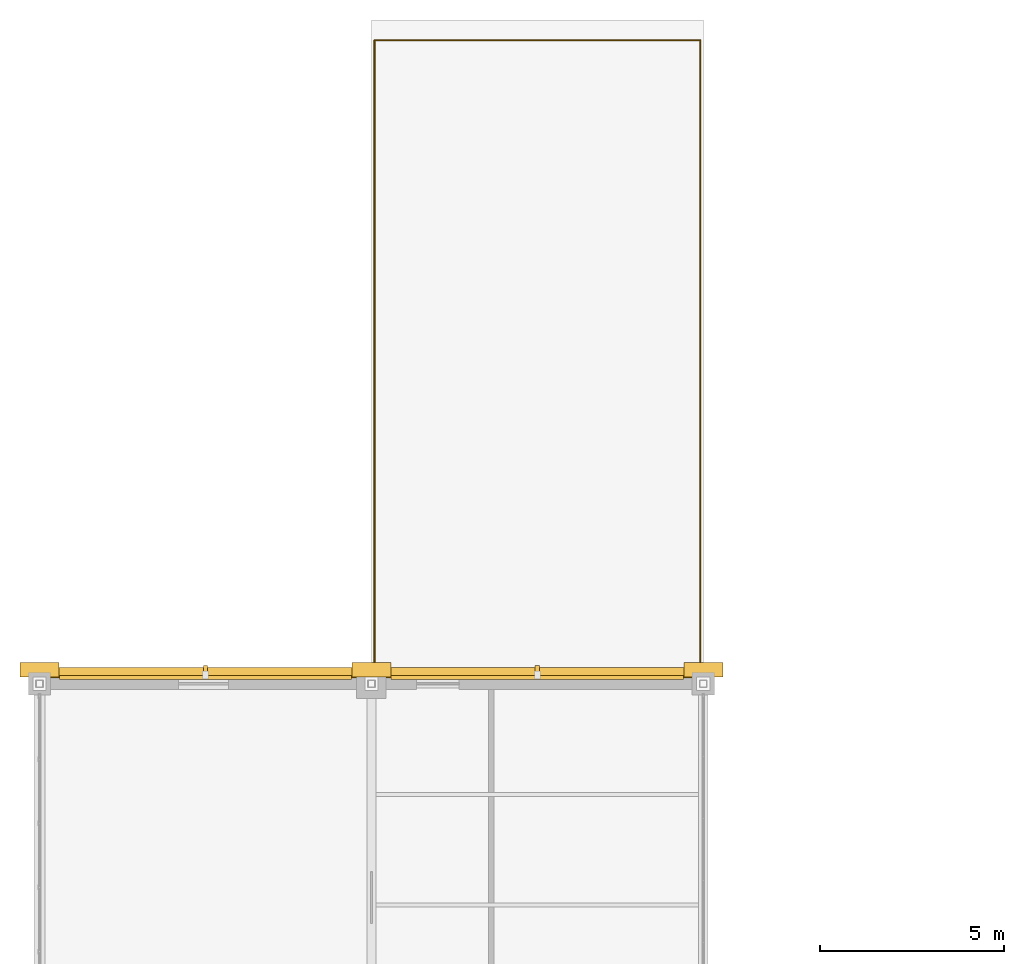
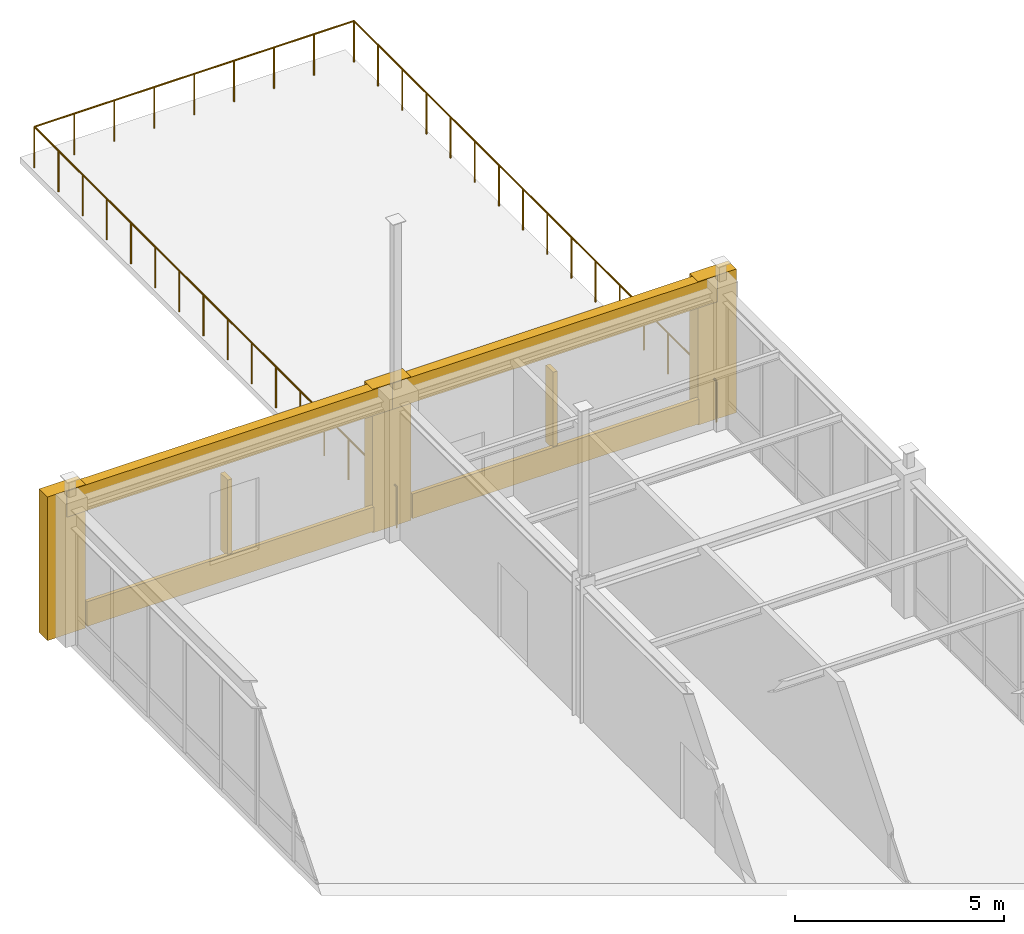
# One storey, part 36 of 36: 7 coverings, 2 shading devices, 1 railing.
"""IFC4 building model written with IfcOpenShell, lengths in metres."""

from ifc_helpers import new_model, si_unit, direction, frame, origin, origin_2d, place, context, subcontext, project, spatial, rectangle, circle, extrude, material, layer, layer_set, type_object, element, save


model = new_model("IFC4")

# Units and contexts
model_context = context("Model", 3, precision=1e-05, world=origin(), true_north=direction((0.0, 1.0)))
body_context = subcontext(model_context, "Body", "Model", "MODEL_VIEW")
ifc_project = project(units=[si_unit("LENGTHUNIT", "METRE"), si_unit("AREAUNIT", "SQUARE_METRE"), si_unit("VOLUMEUNIT", "CUBIC_METRE"), si_unit("PLANEANGLEUNIT", "RADIAN"), si_unit("MASSUNIT", "GRAM", prefix="KILO")], contexts=[model_context])

# Site, building, storey
site_placement = place(None, origin())
site = spatial("IfcSite", under=ifc_project, at=site_placement, CompositionType="ELEMENT")
building_placement = place(site_placement, origin())
building = spatial("IfcBuilding", under=site, at=building_placement, Name="Lykobir Media Centre", CompositionType="ELEMENT")
storey_placement = place(building_placement, frame((0.0, 0.0, 27.60009765625)))
storey = spatial("IfcBuildingStorey", under=building, at=storey_placement, Name="L06", CompositionType="ELEMENT", Elevation=27.60009765625)

# Coverings
ifc_material_1 = material(Name="Glazed Turquoise Terracotta", Category="masonry")
ifc_layer_1 = layer(ifc_material_1, 0.0400390625, Name="Glazed Turquoise Terracotta")
ifc_layer_set_1 = layer_set([ifc_layer_1], Name="Glazed Turquoise Terracotta")
covering_type_1 = type_object("IfcCoveringType", Name="CLD-TERR", PredefinedType="CLADDING", material=ifc_layer_set_1)
for number, where, z_axis, x_axis, name in (
    (1, (31.5, 45.1708984375, 0.080078125), (0.0, 0.0, 1.0), (-1.0, 0.0, 0.0), "Facade spandrel apron 879"),
    (2, (22.5, 45.1708984375, 0.080078125), (0.0, 0.0, 1.0), (-1.0, 0.0, 0.0), "Facade spandrel apron 882"),
):
    element("IfcCovering", number, at=place(storey_placement, frame(where, z_axis=z_axis, x_axis=x_axis)), inside=storey, type_object=covering_type_1, Name=name, PredefinedType="CLADDING", context=body_context, shape_type="SweptSolid", body=[
        extrude(rectangle(XDim=7.929931640625, YDim=0.10009765625, at=origin_2d()), origin(), (0.0, 0.0, 1.0), 0.719970703125),
    ])
ifc_material_2 = material(Name="Honed Travertine Stone", Category="masonry")
ifc_layer_2 = layer(ifc_material_2, 0.050048828125, Name="Honed Travertine Stone")
ifc_layer_set_2 = layer_set([ifc_layer_2], Name="Honed Travertine Stone")
covering_type_2 = type_object("IfcCoveringType", Name="CLD-TRAV", PredefinedType="CLADDING", material=ifc_layer_set_2)
for number, where, z_axis, x_axis, name in (
    (3, (36.0, 45.3798828125, 0.0), (0.0, 0.0, 1.0), (-1.0, 0.0, 0.0), "Travertine column pier 876"),
    (4, (27.0, 45.3798828125, 0.0), (0.0, 0.0, 1.0), (-1.0, 0.0, 0.0), "Travertine column pier 877"),
):
    element("IfcCovering", number, at=place(storey_placement, frame(where, z_axis=z_axis, x_axis=x_axis)), inside=storey, type_object=covering_type_2, Name=name, PredefinedType="CLADDING", context=body_context, shape_type="SweptSolid", body=[
        extrude(rectangle(XDim=1.06005859375, YDim=0.39990234375, at=origin_2d()), origin(), (0.0, 0.0, 1.0), 4.199951171875),
    ])
covering_1_placement = place(storey_placement, frame((31.5, 45.300048828125, 3.43994140625), z_axis=(0.0, 0.0, 1.0), x_axis=(-1.0, 0.0, 0.0)))
element("IfcCovering", 5, at=covering_1_placement, inside=storey, type_object=covering_type_2, Name="Travertine spandrel stringcourse 878", PredefinedType="CLADDING", context=body_context, shape_type="SweptSolid", body=[
    extrude(rectangle(XDim=9.0, YDim=0.280029296875, at=origin_2d()), origin(), (0.0, 0.0, 1.0), 0.760009765625),
])
covering_2_placement = place(storey_placement, frame((18.0, 45.3798828125, 0.0), z_axis=(0.0, 0.0, 1.0), x_axis=(-1.0, 0.0, 0.0)))
element("IfcCovering", 6, at=covering_2_placement, inside=storey, type_object=covering_type_2, Name="Travertine column pier 880", PredefinedType="CLADDING", context=body_context, shape_type="SweptSolid", body=[
    extrude(rectangle(XDim=1.06005859375, YDim=0.39990234375, at=origin_2d()), origin(), (0.0, 0.0, 1.0), 4.199951171875),
])
covering_3_placement = place(storey_placement, frame((22.5, 45.300048828125, 3.43994140625), z_axis=(0.0, 0.0, 1.0), x_axis=(-1.0, 0.0, 0.0)))
element("IfcCovering", 7, at=covering_3_placement, inside=storey, type_object=covering_type_2, Name="Travertine spandrel stringcourse 881", PredefinedType="CLADDING", context=body_context, shape_type="SweptSolid", body=[
    extrude(rectangle(XDim=9.0, YDim=0.280029296875, at=origin_2d()), origin(), (0.0, 0.0, 1.0), 0.760009765625),
])

# Railing
ifc_material_3 = material(Name="Steel S355", Category="steel")
railing_type = type_object("IfcRailingType", Name="GR-EXT-1220", PredefinedType="BALUSTRADE", material=ifc_material_3)
railing_placement = place(storey_placement, frame((27.080078125, 45.080078125, 0.0)))
element("IfcRailing", 8, at=railing_placement, inside=storey, type_object=railing_type, Name="South Wing Roof Garden perimeter balustrade", PredefinedType="BALUSTRADE", context=body_context, shape_type="SweptSolid", body=[
    extrude(circle(Radius=0.02392578125, at=origin_2d()), frame((0.0, 0.0, 1.19580078125), z_axis=(0.0, 1.0, 0.0), x_axis=(-1.0, 0.0, 0.0)), (0.0, 0.0, 1.0), 17.369873046875),
    extrude(circle(Radius=0.02392578125, at=origin_2d()), frame((0.0, 17.369873046875, 1.19580078125), z_axis=(1.0, 0.0, 0.0), x_axis=(0.0, 1.0, 0.0)), (0.0, 0.0, 1.0), 8.83984375),
    extrude(circle(Radius=0.02392578125, at=origin_2d()), frame((8.83984375, 17.369873046875, 1.19580078125), z_axis=(0.0, -1.0, 0.0), x_axis=(1.0, 0.0, 0.0)), (0.0, 0.0, 1.0), 17.369873046875),
    extrude(circle(Radius=0.02099609375, at=origin_2d()), origin(), (0.0, 0.0, 1.0), 1.171875),
    extrude(circle(Radius=0.02099609375, at=origin_2d()), frame((0.0, 1.157958984375, 0.0)), (0.0, 0.0, 1.0), 1.171875),
    extrude(circle(Radius=0.02099609375, at=origin_2d()), frame((0.0, 2.31591796875, 0.0)), (0.0, 0.0, 1.0), 1.171875),
    extrude(circle(Radius=0.02099609375, at=origin_2d()), frame((0.0, 3.473876953125, 0.0)), (0.0, 0.0, 1.0), 1.171875),
    extrude(circle(Radius=0.02099609375, at=origin_2d()), frame((0.0, 4.632080078125, 0.0)), (0.0, 0.0, 1.0), 1.171875),
    extrude(circle(Radius=0.02099609375, at=origin_2d()), frame((0.0, 5.7900390625, 0.0)), (0.0, 0.0, 1.0), 1.171875),
    extrude(circle(Radius=0.02099609375, at=origin_2d()), frame((0.0, 6.947998046875, 0.0)), (0.0, 0.0, 1.0), 1.171875),
    extrude(circle(Radius=0.02099609375, at=origin_2d()), frame((0.0, 8.10595703125, 0.0)), (0.0, 0.0, 1.0), 1.171875),
    extrude(circle(Radius=0.02099609375, at=origin_2d()), frame((0.0, 9.263916015625, 0.0)), (0.0, 0.0, 1.0), 1.171875),
    extrude(circle(Radius=0.02099609375, at=origin_2d()), frame((0.0, 10.421875, 0.0)), (0.0, 0.0, 1.0), 1.171875),
    extrude(circle(Radius=0.02099609375, at=origin_2d()), frame((0.0, 11.579833984375, 0.0)), (0.0, 0.0, 1.0), 1.171875),
    extrude(circle(Radius=0.02099609375, at=origin_2d()), frame((0.0, 12.73779296875, 0.0)), (0.0, 0.0, 1.0), 1.171875),
    extrude(circle(Radius=0.02099609375, at=origin_2d()), frame((0.0, 13.89599609375, 0.0)), (0.0, 0.0, 1.0), 1.171875),
    extrude(circle(Radius=0.02099609375, at=origin_2d()), frame((0.0, 15.053955078125, 0.0)), (0.0, 0.0, 1.0), 1.171875),
    extrude(circle(Radius=0.02099609375, at=origin_2d()), frame((0.0, 16.2119140625, 0.0)), (0.0, 0.0, 1.0), 1.171875),
    extrude(circle(Radius=0.02099609375, at=origin_2d()), frame((0.0, 17.369873046875, 0.0)), (0.0, 0.0, 1.0), 1.171875),
    extrude(circle(Radius=0.02099609375, at=origin_2d()), frame((1.10498046875, 17.369873046875, 0.0)), (0.0, 0.0, 1.0), 1.171875),
    extrude(circle(Radius=0.02099609375, at=origin_2d()), frame((2.2099609375, 17.369873046875, 0.0)), (0.0, 0.0, 1.0), 1.171875),
    extrude(circle(Radius=0.02099609375, at=origin_2d()), frame((3.31494140625, 17.369873046875, 0.0)), (0.0, 0.0, 1.0), 1.171875),
    extrude(circle(Radius=0.02099609375, at=origin_2d()), frame((4.419921875, 17.369873046875, 0.0)), (0.0, 0.0, 1.0), 1.171875),
    extrude(circle(Radius=0.02099609375, at=origin_2d()), frame((5.52490234375, 17.369873046875, 0.0)), (0.0, 0.0, 1.0), 1.171875),
    extrude(circle(Radius=0.02099609375, at=origin_2d()), frame((6.6298828125, 17.369873046875, 0.0)), (0.0, 0.0, 1.0), 1.171875),
    extrude(circle(Radius=0.02099609375, at=origin_2d()), frame((7.73486328125, 17.369873046875, 0.0)), (0.0, 0.0, 1.0), 1.171875),
    extrude(circle(Radius=0.02099609375, at=origin_2d()), frame((8.83984375, 17.369873046875, 0.0)), (0.0, 0.0, 1.0), 1.171875),
    extrude(circle(Radius=0.02099609375, at=origin_2d()), frame((8.83984375, 16.2119140625, 0.0)), (0.0, 0.0, 1.0), 1.171875),
    extrude(circle(Radius=0.02099609375, at=origin_2d()), frame((8.83984375, 15.053955078125, 0.0)), (0.0, 0.0, 1.0), 1.171875),
    extrude(circle(Radius=0.02099609375, at=origin_2d()), frame((8.83984375, 13.89599609375, 0.0)), (0.0, 0.0, 1.0), 1.171875),
    extrude(circle(Radius=0.02099609375, at=origin_2d()), frame((8.83984375, 12.73779296875, 0.0)), (0.0, 0.0, 1.0), 1.171875),
    extrude(circle(Radius=0.02099609375, at=origin_2d()), frame((8.83984375, 11.579833984375, 0.0)), (0.0, 0.0, 1.0), 1.171875),
    extrude(circle(Radius=0.02099609375, at=origin_2d()), frame((8.83984375, 10.421875, 0.0)), (0.0, 0.0, 1.0), 1.171875),
    extrude(circle(Radius=0.02099609375, at=origin_2d()), frame((8.83984375, 9.263916015625, 0.0)), (0.0, 0.0, 1.0), 1.171875),
    extrude(circle(Radius=0.02099609375, at=origin_2d()), frame((8.83984375, 8.10595703125, 0.0)), (0.0, 0.0, 1.0), 1.171875),
    extrude(circle(Radius=0.02099609375, at=origin_2d()), frame((8.83984375, 6.947998046875, 0.0)), (0.0, 0.0, 1.0), 1.171875),
    extrude(circle(Radius=0.02099609375, at=origin_2d()), frame((8.83984375, 5.7900390625, 0.0)), (0.0, 0.0, 1.0), 1.171875),
    extrude(circle(Radius=0.02099609375, at=origin_2d()), frame((8.83984375, 4.632080078125, 0.0)), (0.0, 0.0, 1.0), 1.171875),
    extrude(circle(Radius=0.02099609375, at=origin_2d()), frame((8.83984375, 3.473876953125, 0.0)), (0.0, 0.0, 1.0), 1.171875),
    extrude(circle(Radius=0.02099609375, at=origin_2d()), frame((8.83984375, 2.31591796875, 0.0)), (0.0, 0.0, 1.0), 1.171875),
    extrude(circle(Radius=0.02099609375, at=origin_2d()), frame((8.83984375, 1.157958984375, 0.0)), (0.0, 0.0, 1.0), 1.171875),
    extrude(circle(Radius=0.02099609375, at=origin_2d()), frame((8.83984375, 0.0, 0.0)), (0.0, 0.0, 1.0), 1.171875),
])

# Shading devices
shading_device_type = type_object("IfcShadingDeviceType", Name="SHD-FIN", PredefinedType="USERDEFINED", material=ifc_material_1)
for number, where, z_axis, x_axis, name in (
    (9, (31.5, 45.324951171875, 0.724853515625), (0.0, 0.0, 1.0), (-1.0, 0.0, 0.0), "Terracotta shading fin 119"),
    (10, (22.5, 45.324951171875, 0.724853515625), (0.0, 0.0, 1.0), (-1.0, 0.0, 0.0), "Terracotta shading fin 120"),
):
    element("IfcShadingDevice", number, at=place(storey_placement, frame(where, z_axis=z_axis, x_axis=x_axis)), inside=storey, type_object=shading_device_type, Name=name, ObjectType="FIN", PredefinedType="USERDEFINED", context=body_context, shape_type="SweptSolid", body=[
        extrude(rectangle(XDim=0.1201171875, YDim=0.35009765625, at=origin_2d()), origin(), (0.0, 0.0, 1.0), 2.25),
    ])

save(model, "model.ifc")
